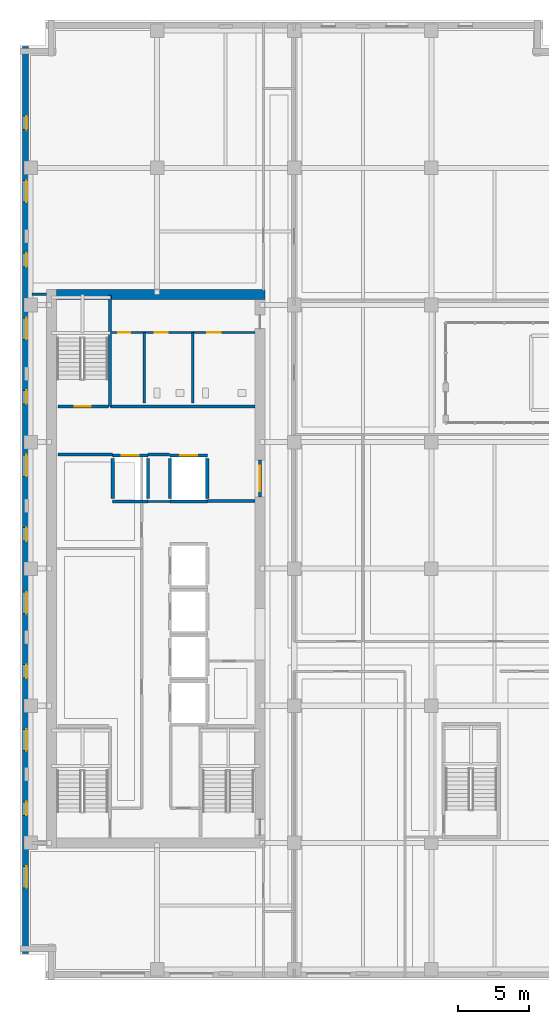
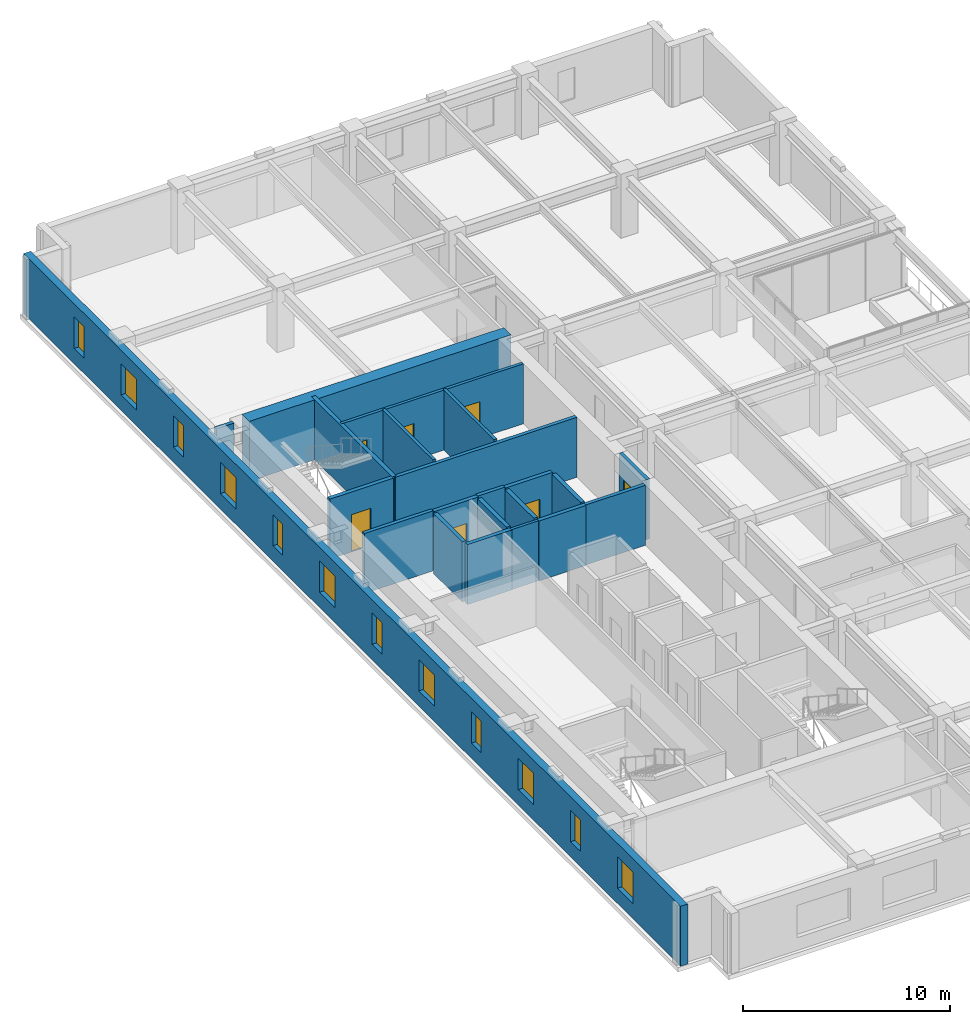
# One storey, part 6 of 16: 22 walls, 12 windows, 7 doors, 19 openings.
"""IFC4 building model written with IfcOpenShell, lengths in metres."""

from ifc_helpers import new_model, si_unit, direction, frame, frame_2d, origin, place, context, subcontext, project, spatial, rectangle, extrude, material, layer, layer_set, type_object, element, fill, save


model = new_model("IFC4")

# Units and contexts
model_context = context("Model", 3, precision=1e-05, world=origin(), true_north=direction((0.0, 1.0)))
body_context = subcontext(model_context, "Body", "Model", "MODEL_VIEW")
ifc_project = project(units=[si_unit("LENGTHUNIT", "METRE"), si_unit("AREAUNIT", "SQUARE_METRE"), si_unit("VOLUMEUNIT", "CUBIC_METRE"), si_unit("PLANEANGLEUNIT", "RADIAN"), si_unit("MASSUNIT", "GRAM", prefix="KILO")], contexts=[model_context])

# Site, building, storey
site_placement = place(None, origin())
site = spatial("IfcSite", under=ifc_project, at=site_placement, CompositionType="ELEMENT")
building_placement = place(site_placement, origin())
building = spatial("IfcBuilding", under=site, at=building_placement, Name="Norrvale University Quadrangle", CompositionType="ELEMENT")
storey_placement = place(building_placement, frame((0.0, 0.0, 167.39990234375)))
storey = spatial("IfcBuildingStorey", under=building, at=storey_placement, Name="L42", CompositionType="ELEMENT", Elevation=167.39990234375)

# Walls
ifc_material_1 = material(Name="Concrete C60/75", Category="concrete")
ifc_layer_1 = layer(ifc_material_1, 0.699951171875, Name="Concrete C60/75")
ifc_layer_set_1 = layer_set([ifc_layer_1], Name="Concrete C60/75")
wall_type_1 = type_object("IfcWallType", Name="Wall Core 700", PredefinedType="SHEAR", material=ifc_layer_set_1)
wall_1_placement = place(storey_placement, frame((2.550048828125, 48.0, 0.0), z_axis=(0.0, 0.0, 1.0), x_axis=(1.0, 0.0, 0.0)))
element("IfcWall", 1, at=wall_1_placement, inside=storey, type_object=wall_type_1, Name="Tower Core Shear Wall L42-N", PredefinedType="SHEAR", context=body_context, shape_type="SweptSolid", body=[
    extrude(rectangle(XDim=14.599853515625, YDim=0.699951171875, at=frame_2d((7.2998046875, 0.0))), origin(), (0.0, 0.0, 1.0), 3.5400390625),
])
ifc_material_2 = material(Name="Fire-Rated Gypsum Stud Partition")
ifc_layer_2 = layer(ifc_material_2, 0.14990234375, Name="Fire-Rated Gypsum Stud Partition")
ifc_layer_set_2 = layer_set([ifc_layer_2], Name="Fire-Rated Gypsum Stud Partition")
wall_type_2 = type_object("IfcWallType", Name="Wall Gypsum Corridor 150", PredefinedType="PARTITIONING", material=ifc_layer_set_2)
wall_2_placement = place(storey_placement, frame((8.965087890625, 33.489990234375, 0.0), z_axis=(0.0, 0.0, 1.0), x_axis=(1.0, 0.0, 0.0)))
element("IfcWall", 2, at=wall_2_placement, inside=storey, type_object=wall_type_2, Name="Interior Partition WL-L42-LL3", PredefinedType="PARTITIONING", context=body_context, shape_type="SweptSolid", body=[
    extrude(rectangle(XDim=1.52001953125, YDim=0.14990234375, at=frame_2d((0.760009765625, 0.0))), origin(), (0.0, 0.0, 1.0), 3.5400390625),
])

# Wall, openings, doors
ifc_material_3 = material(Name="Sanitary Chase Gypsum Partition")
ifc_layer_3 = layer(ifc_material_3, 0.1650390625, Name="Sanitary Chase Gypsum Partition")
ifc_layer_set_3 = layer_set([ifc_layer_3], Name="Sanitary Chase Gypsum Partition")
wall_type_3 = type_object("IfcWallType", Name="Wall Gypsum Sanitary 165", PredefinedType="PLUMBINGWALL", material=ifc_layer_set_3)
wall_3_placement = place(storey_placement, frame((6.320068359375, 45.320068359375, 0.0), z_axis=(0.0, 0.0, 1.0), x_axis=(1.0, 0.0, 0.0)))
wall_3 = element("IfcWall", 3, at=wall_3_placement, inside=storey, type_object=wall_type_3, Name="Interior Partition WL-L42-WCN", PredefinedType="PLUMBINGWALL", context=body_context, shape_type="SweptSolid", body=[
    extrude(rectangle(XDim=10.1298828125, YDim=0.1650390625, at=frame_2d((5.06494140625, 0.0))), origin(), (0.0, 0.0, 1.0), 3.5400390625),
])
opening_1_placement = place(wall_3_placement, frame((0.550048828125, 0.0, 0.0)))
opening_1 = element("IfcOpeningElement", 4, at=opening_1_placement, cuts=wall_3, Name="Opening D10", PredefinedType="OPENING", context=body_context, shape_type="SweptSolid", body=[
    extrude(rectangle(XDim=0.85009765625, YDim=2.10009765625, at=frame_2d((0.425048828125, 1.050048828125))), frame((0.0, 0.094482421875, 0.0), z_axis=(0.0, -1.0, 0.0), x_axis=(1.0, 0.0, 0.0)), (0.0, 0.0, 1.0), 0.18896484375),
])
opening_2_placement = place(wall_3_placement, frame((3.10009765625, 0.0, 0.0)))
opening_2 = element("IfcOpeningElement", 5, at=opening_2_placement, cuts=wall_3, Name="Opening D08", PredefinedType="OPENING", context=body_context, shape_type="SweptSolid", body=[
    extrude(rectangle(XDim=0.919921875, YDim=2.14990234375, at=frame_2d((0.4599609375, 1.074951171875))), frame((0.0, 0.094482421875, 0.0), z_axis=(0.0, -1.0, 0.0), x_axis=(1.0, 0.0, 0.0)), (0.0, 0.0, 1.0), 0.18896484375),
])
opening_3_placement = place(wall_3_placement, frame((6.800048828125, 0.0, 0.0)))
opening_3 = element("IfcOpeningElement", 6, at=opening_3_placement, cuts=wall_3, Name="Opening D08", PredefinedType="OPENING", context=body_context, shape_type="SweptSolid", body=[
    extrude(rectangle(XDim=0.919921875, YDim=2.14990234375, at=frame_2d((0.4599609375, 1.074951171875))), frame((0.0, 0.094482421875, 0.0), z_axis=(0.0, -1.0, 0.0), x_axis=(1.0, 0.0, 0.0)), (0.0, 0.0, 1.0), 0.18896484375),
])
ifc_material_4 = material(Name="Hollow Steel 350W Riser Fire Door", Category="steel")
door_type_1 = type_object("IfcDoorType", Name="Door Riser 850x2100", OperationType="NOTDEFINED", PredefinedType="DOOR", material=ifc_material_4)
door_1_placement = place(opening_1_placement, origin())
door_1 = element("IfcDoor", 7, at=door_1_placement, inside=storey, type_object=door_type_1, Name="Door Riser 850x2100 DR-L42-WC1", OperationType="SINGLE_SWING_LEFT", OverallHeight=2.10009765625, OverallWidth=0.85009765625, PredefinedType="DOOR", context=body_context, shape_type="SweptSolid", body=[
    extrude(rectangle(XDim=0.85009765625, YDim=2.10009765625, at=frame_2d((0.425048828125, 1.050048828125))), frame((0.0, 0.02490234375, 0.0), z_axis=(0.0, -1.0, 0.0), x_axis=(1.0, 0.0, 0.0)), (0.0, 0.0, 1.0), 0.050048828125),
])
fill(opening_1, door_1)
ifc_material_5 = material(Name="Laminate Washroom Door", Category="wood")
door_type_2 = type_object("IfcDoorType", Name="Door Washroom 920x2150", OperationType="NOTDEFINED", PredefinedType="DOOR", material=ifc_material_5)
door_2_placement = place(opening_2_placement, origin())
door_2 = element("IfcDoor", 8, at=door_2_placement, inside=storey, type_object=door_type_2, Name="Door Washroom 920x2150 DR-L42-WC2", OperationType="SINGLE_SWING_RIGHT", OverallHeight=2.14990234375, OverallWidth=0.919921875, PredefinedType="DOOR", context=body_context, shape_type="SweptSolid", body=[
    extrude(rectangle(XDim=0.919921875, YDim=2.14990234375, at=frame_2d((0.4599609375, 1.074951171875))), frame((0.0, 0.02490234375, 0.0), z_axis=(0.0, -1.0, 0.0), x_axis=(1.0, 0.0, 0.0)), (0.0, 0.0, 1.0), 0.050048828125),
])
fill(opening_2, door_2)
door_3_placement = place(opening_3_placement, origin())
door_3 = element("IfcDoor", 9, at=door_3_placement, inside=storey, type_object=door_type_2, Name="Door Washroom 920x2150 DR-L42-WC3", OperationType="SINGLE_SWING_LEFT", OverallHeight=2.14990234375, OverallWidth=0.919921875, PredefinedType="DOOR", context=body_context, shape_type="SweptSolid", body=[
    extrude(rectangle(XDim=0.919921875, YDim=2.14990234375, at=frame_2d((0.4599609375, 1.074951171875))), frame((0.0, 0.02490234375, 0.0), z_axis=(0.0, -1.0, 0.0), x_axis=(1.0, 0.0, 0.0)), (0.0, 0.0, 1.0), 0.050048828125),
])
fill(opening_3, door_3)

# Walls
for number, where, z_axis, x_axis, name in (
    (10, (8.699951171875, 40.39990234375, 0.0), (0.0, 0.0, 1.0), (0.0, 1.0, 0.0), "Interior Partition WL-L42-WCM1"),
    (11, (12.10009765625, 40.39990234375, 0.0), (0.0, 0.0, 1.0), (0.0, 1.0, 0.0), "Interior Partition WL-L42-WCM2"),
):
    element("IfcWall", number, at=place(storey_placement, frame(where, z_axis=z_axis, x_axis=x_axis)), inside=storey, type_object=wall_type_3, Name=name, PredefinedType="PLUMBINGWALL", context=body_context, shape_type="SweptSolid", body=[
        extrude(rectangle(XDim=4.920166015625, YDim=0.1650390625, at=frame_2d((2.4599609375, 0.0))), origin(), (0.0, 0.0, 1.0), 3.5400390625),
    ])
ifc_material_6 = material(Name="Concrete Blockwork 20 MPa Rated Wall", Category="masonry")
ifc_layer_4 = layer(ifc_material_6, 0.199951171875, Name="Concrete Blockwork 20 MPa Rated Wall")
ifc_layer_set_4 = layer_set([ifc_layer_4], Name="Concrete Blockwork 20 MPa Rated Wall")
wall_type_4 = type_object("IfcWallType", Name="Wall Lobby 200", PredefinedType="SOLIDWALL", material=ifc_layer_set_4)
wall_4_placement = place(storey_placement, frame((2.64990234375, 36.780029296875, 0.0), z_axis=(0.0, 0.0, 1.0), x_axis=(1.0, 0.0, 0.0)))
element("IfcWall", 12, at=wall_4_placement, inside=storey, type_object=wall_type_4, Name="Interior Partition WL-L42-FF1", PredefinedType="SOLIDWALL", context=body_context, shape_type="SweptSolid", body=[
    extrude(rectangle(XDim=3.830078125, YDim=0.199951171875, at=frame_2d((1.9150390625, 0.0))), origin(), (0.0, 0.0, 1.0), 3.5400390625),
])
wall_5_placement = place(storey_placement, frame((8.969970703125, 36.780029296875, 0.0), z_axis=(0.0, 0.0, 1.0), x_axis=(1.0, 0.0, 0.0)))
element("IfcWall", 13, at=wall_5_placement, inside=storey, type_object=wall_type_4, Name="Interior Partition WL-L42-FF2", PredefinedType="SOLIDWALL", context=body_context, shape_type="SweptSolid", body=[
    extrude(rectangle(XDim=1.510009765625, YDim=0.199951171875, at=frame_2d((0.7548828125, 0.0))), origin(), (0.0, 0.0, 1.0), 3.5400390625),
])
wall_6_placement = place(storey_placement, frame((13.1201171875, 33.52001953125, 0.0), z_axis=(0.0, 0.0, 1.0), x_axis=(1.0, 0.0, 0.0)))
element("IfcWall", 14, at=wall_6_placement, inside=storey, type_object=wall_type_4, Name="Interior Partition WL-L42-FF3", PredefinedType="SOLIDWALL", context=body_context, shape_type="SweptSolid", body=[
    extrude(rectangle(XDim=3.329833984375, YDim=0.199951171875, at=frame_2d((1.6650390625, 0.0))), origin(), (0.0, 0.0, 1.0), 3.5400390625),
])
wall_7_placement = place(storey_placement, frame((6.320068359375, 40.139892578125, 0.0), z_axis=(0.0, 0.0, 1.0), x_axis=(1.0, 0.0, 0.0)))
element("IfcWall", 15, at=wall_7_placement, inside=storey, type_object=wall_type_4, Name="Interior Partition WL-L42-FF4", PredefinedType="SOLIDWALL", context=body_context, shape_type="SweptSolid", body=[
    extrude(rectangle(XDim=10.1298828125, YDim=0.199951171875, at=frame_2d((5.06494140625, 0.0))), origin(), (0.0, 0.0, 1.0), 3.5400390625),
])

# Wall, opening, door
wall_8_placement = place(storey_placement, frame((16.800048828125, 33.800048828125, 0.0), z_axis=(0.0, 0.0, 1.0), x_axis=(0.0, 1.0, 0.0)))
wall_8 = element("IfcWall", 16, at=wall_8_placement, inside=storey, type_object=wall_type_4, Name="Interior Partition WL-L42-FFP", PredefinedType="SOLIDWALL", context=body_context, shape_type="SweptSolid", body=[
    extrude(rectangle(XDim=2.599853515625, YDim=0.199951171875, at=frame_2d((1.2998046875, 0.0))), origin(), (0.0, 0.0, 1.0), 3.5400390625),
])
opening_4_placement = place(wall_8_placement, frame((0.39990234375, 0.0, 0.0)))
opening_4 = element("IfcOpeningElement", 17, at=opening_4_placement, cuts=wall_8, Name="Opening D03", PredefinedType="OPENING", context=body_context, shape_type="SweptSolid", body=[
    extrude(rectangle(XDim=1.800048828125, YDim=2.199951171875, at=frame_2d((0.89990234375, 1.10009765625))), frame((0.0, 0.112060546875, 0.0), z_axis=(0.0, -1.0, 0.0), x_axis=(1.0, 0.0, 0.0)), (0.0, 0.0, 1.0), 0.223876953125),
])
ifc_material_7 = material(Name="Hollow Steel 350W Fire Door", Category="steel")
door_type_3 = type_object("IfcDoorType", Name="Door Fire Lobby 1800x2200", OperationType="DOUBLE_DOOR_SINGLE_SWING", PredefinedType="DOOR", material=ifc_material_7)
door_4_placement = place(opening_4_placement, origin())
door_4 = element("IfcDoor", 18, at=door_4_placement, inside=storey, type_object=door_type_3, Name="Door Fire Lobby 1800x2200 DR-L42-FFP", OperationType="DOUBLE_DOOR_SINGLE_SWING", OverallHeight=2.199951171875, OverallWidth=1.800048828125, PredefinedType="DOOR", context=body_context, shape_type="SweptSolid", body=[
    extrude(rectangle(XDim=1.800048828125, YDim=2.199951171875, at=frame_2d((0.89990234375, 1.10009765625))), frame((0.0, 0.02490234375, 0.0), z_axis=(0.0, -1.0, 0.0), x_axis=(1.0, 0.0, 0.0)), (0.0, 0.0, 1.0), 0.050048828125),
])
fill(opening_4, door_4)

# Wall
wall_9_placement = place(storey_placement, frame((0.85009765625, 48.0, 0.0), z_axis=(0.0, 0.0, 1.0), x_axis=(1.0, 0.0, 0.0)))
element("IfcWall", 19, at=wall_9_placement, inside=storey, type_object=wall_type_4, Name="Interior Partition WL-L42-CWRET-N", PredefinedType="SOLIDWALL", context=body_context, shape_type="SweptSolid", body=[
    extrude(rectangle(XDim=0.994873046875, YDim=0.199951171875, at=frame_2d((0.49755859375, 0.0))), origin(), (0.0, 0.0, 1.0), 3.5400390625),
])

# Wall, openings, windows
ifc_material_8 = material(Name="Red Manganese Brick Masonry", Category="masonry")
ifc_layer_5 = layer(ifc_material_8, 0.39990234375, Name="Red Manganese Brick Masonry")
ifc_layer_set_5 = layer_set([ifc_layer_5], Name="Red Manganese Brick Masonry")
wall_type_5 = type_object("IfcWallType", Name="Wall Red Brick 400", PredefinedType="SOLIDWALL", material=ifc_layer_set_5)
wall_10_placement = place(storey_placement, frame((0.3798828125, 65.360107421875, 0.0), z_axis=(0.0, 0.0, 1.0), x_axis=(0.0, -1.0, 0.0)))
wall_10 = element("IfcWall", 20, at=wall_10_placement, inside=storey, type_object=wall_type_5, Name="Exterior Brick Facade Wall L42-14.1", PredefinedType="SOLIDWALL", context=body_context, shape_type="SweptSolid", body=[
    extrude(rectangle(XDim=63.52001953125, YDim=0.39990234375, at=frame_2d((31.760009765625, 0.0))), origin(), (0.0, 0.0, 1.0), 3.5400390625),
])
opening_5_placement = place(wall_10_placement, frame((4.885009765625, 0.0, 0.89990234375)))
opening_5 = element("IfcOpeningElement", 21, at=opening_5_placement, cuts=wall_10, Name="Opening W04", PredefinedType="OPENING", context=body_context, shape_type="SweptSolid", body=[
    extrude(rectangle(XDim=0.949951171875, YDim=1.85009765625, at=frame_2d((0.47509765625, 0.925048828125))), frame((0.0, 0.2119140625, 0.0), z_axis=(0.0, -1.0, 0.0), x_axis=(1.0, 0.0, 0.0)), (0.0, 0.0, 1.0), 0.423828125),
])
opening_6_placement = place(wall_10_placement, frame((9.409912109375, 0.0, 0.89990234375)))
opening_6 = element("IfcOpeningElement", 22, at=opening_6_placement, cuts=wall_10, Name="Opening W03", PredefinedType="OPENING", context=body_context, shape_type="SweptSolid", body=[
    extrude(rectangle(XDim=1.5, YDim=1.85009765625, at=frame_2d((0.75, 0.925048828125))), frame((0.0, 0.2119140625, 0.0), z_axis=(0.0, -1.0, 0.0), x_axis=(1.0, 0.0, 0.0)), (0.0, 0.0, 1.0), 0.423828125),
])
opening_7_placement = place(wall_10_placement, frame((14.485107421875, 0.0, 0.89990234375)))
opening_7 = element("IfcOpeningElement", 23, at=opening_7_placement, cuts=wall_10, Name="Opening W04", PredefinedType="OPENING", context=body_context, shape_type="SweptSolid", body=[
    extrude(rectangle(XDim=0.949951171875, YDim=1.85009765625, at=frame_2d((0.47509765625, 0.925048828125))), frame((0.0, 0.2119140625, 0.0), z_axis=(0.0, -1.0, 0.0), x_axis=(1.0, 0.0, 0.0)), (0.0, 0.0, 1.0), 0.423828125),
])
opening_8_placement = place(wall_10_placement, frame((19.010009765625, 0.0, 0.89990234375)))
opening_8 = element("IfcOpeningElement", 24, at=opening_8_placement, cuts=wall_10, Name="Opening W03", PredefinedType="OPENING", context=body_context, shape_type="SweptSolid", body=[
    extrude(rectangle(XDim=1.5, YDim=1.85009765625, at=frame_2d((0.75, 0.925048828125))), frame((0.0, 0.2119140625, 0.0), z_axis=(0.0, -1.0, 0.0), x_axis=(1.0, 0.0, 0.0)), (0.0, 0.0, 1.0), 0.423828125),
])
opening_9_placement = place(wall_10_placement, frame((24.0849609375, 0.0, 0.89990234375)))
opening_9 = element("IfcOpeningElement", 25, at=opening_9_placement, cuts=wall_10, Name="Opening W04", PredefinedType="OPENING", context=body_context, shape_type="SweptSolid", body=[
    extrude(rectangle(XDim=0.949951171875, YDim=1.85009765625, at=frame_2d((0.47509765625, 0.925048828125))), frame((0.0, 0.2119140625, 0.0), z_axis=(0.0, -1.0, 0.0), x_axis=(1.0, 0.0, 0.0)), (0.0, 0.0, 1.0), 0.423828125),
])
opening_10_placement = place(wall_10_placement, frame((28.610107421875, 0.0, 0.89990234375)))
opening_10 = element("IfcOpeningElement", 26, at=opening_10_placement, cuts=wall_10, Name="Opening W03", PredefinedType="OPENING", context=body_context, shape_type="SweptSolid", body=[
    extrude(rectangle(XDim=1.5, YDim=1.85009765625, at=frame_2d((0.75, 0.925048828125))), frame((0.0, 0.2119140625, 0.0), z_axis=(0.0, -1.0, 0.0), x_axis=(1.0, 0.0, 0.0)), (0.0, 0.0, 1.0), 0.423828125),
])
opening_11_placement = place(wall_10_placement, frame((33.68505859375, 0.0, 0.89990234375)))
opening_11 = element("IfcOpeningElement", 27, at=opening_11_placement, cuts=wall_10, Name="Opening W04", PredefinedType="OPENING", context=body_context, shape_type="SweptSolid", body=[
    extrude(rectangle(XDim=0.949951171875, YDim=1.85009765625, at=frame_2d((0.47509765625, 0.925048828125))), frame((0.0, 0.2119140625, 0.0), z_axis=(0.0, -1.0, 0.0), x_axis=(1.0, 0.0, 0.0)), (0.0, 0.0, 1.0), 0.423828125),
])
opening_12_placement = place(wall_10_placement, frame((38.2099609375, 0.0, 0.89990234375)))
opening_12 = element("IfcOpeningElement", 28, at=opening_12_placement, cuts=wall_10, Name="Opening W03", PredefinedType="OPENING", context=body_context, shape_type="SweptSolid", body=[
    extrude(rectangle(XDim=1.5, YDim=1.85009765625, at=frame_2d((0.75, 0.925048828125))), frame((0.0, 0.2119140625, 0.0), z_axis=(0.0, -1.0, 0.0), x_axis=(1.0, 0.0, 0.0)), (0.0, 0.0, 1.0), 0.423828125),
])
opening_13_placement = place(wall_10_placement, frame((43.284912109375, 0.0, 0.89990234375)))
opening_13 = element("IfcOpeningElement", 29, at=opening_13_placement, cuts=wall_10, Name="Opening W04", PredefinedType="OPENING", context=body_context, shape_type="SweptSolid", body=[
    extrude(rectangle(XDim=0.949951171875, YDim=1.85009765625, at=frame_2d((0.47509765625, 0.925048828125))), frame((0.0, 0.2119140625, 0.0), z_axis=(0.0, -1.0, 0.0), x_axis=(1.0, 0.0, 0.0)), (0.0, 0.0, 1.0), 0.423828125),
])
opening_14_placement = place(wall_10_placement, frame((47.81005859375, 0.0, 0.89990234375)))
opening_14 = element("IfcOpeningElement", 30, at=opening_14_placement, cuts=wall_10, Name="Opening W03", PredefinedType="OPENING", context=body_context, shape_type="SweptSolid", body=[
    extrude(rectangle(XDim=1.5, YDim=1.85009765625, at=frame_2d((0.75, 0.925048828125))), frame((0.0, 0.2119140625, 0.0), z_axis=(0.0, -1.0, 0.0), x_axis=(1.0, 0.0, 0.0)), (0.0, 0.0, 1.0), 0.423828125),
])
opening_15_placement = place(wall_10_placement, frame((52.885009765625, 0.0, 0.89990234375)))
opening_15 = element("IfcOpeningElement", 31, at=opening_15_placement, cuts=wall_10, Name="Opening W04", PredefinedType="OPENING", context=body_context, shape_type="SweptSolid", body=[
    extrude(rectangle(XDim=0.949951171875, YDim=1.85009765625, at=frame_2d((0.47509765625, 0.925048828125))), frame((0.0, 0.2119140625, 0.0), z_axis=(0.0, -1.0, 0.0), x_axis=(1.0, 0.0, 0.0)), (0.0, 0.0, 1.0), 0.423828125),
])
opening_16_placement = place(wall_10_placement, frame((57.409912109375, 0.0, 0.89990234375)))
opening_16 = element("IfcOpeningElement", 32, at=opening_16_placement, cuts=wall_10, Name="Opening W03", PredefinedType="OPENING", context=body_context, shape_type="SweptSolid", body=[
    extrude(rectangle(XDim=1.5, YDim=1.85009765625, at=frame_2d((0.75, 0.925048828125))), frame((0.0, 0.2119140625, 0.0), z_axis=(0.0, -1.0, 0.0), x_axis=(1.0, 0.0, 0.0)), (0.0, 0.0, 1.0), 0.423828125),
])
ifc_material_9 = material(Name="Triple Low-E Argon Glazing", Category="glass")
window_type_1 = type_object("IfcWindowType", Name="Window Narrow Pier 950x2300", PartitioningType="SINGLE_PANEL", PredefinedType="WINDOW", material=ifc_material_9)
window_1_placement = place(opening_5_placement, origin())
window_1 = element("IfcWindow", 33, at=window_1_placement, inside=storey, type_object=window_type_1, Name="Window Narrow Pier 950x2300 WIN-L42-E14-1-01", OverallHeight=1.85009765625, OverallWidth=0.949951171875, PartitioningType="SINGLE_PANEL", PredefinedType="WINDOW", context=body_context, shape_type="SweptSolid", body=[
    extrude(rectangle(XDim=0.949951171875, YDim=1.85009765625, at=frame_2d((0.47509765625, 0.925048828125))), frame((0.0, 0.110107421875, 0.0), z_axis=(0.0, -1.0, 0.0), x_axis=(1.0, 0.0, 0.0)), (0.0, 0.0, 1.0), 0.06005859375),
])
fill(opening_5, window_1)
window_2_placement = place(opening_7_placement, origin())
window_2 = element("IfcWindow", 34, at=window_2_placement, inside=storey, type_object=window_type_1, Name="Window Narrow Pier 950x2300 WIN-L42-E14-1-03", OverallHeight=1.85009765625, OverallWidth=0.949951171875, PartitioningType="SINGLE_PANEL", PredefinedType="WINDOW", context=body_context, shape_type="SweptSolid", body=[
    extrude(rectangle(XDim=0.949951171875, YDim=1.85009765625, at=frame_2d((0.47509765625, 0.925048828125))), frame((0.0, 0.110107421875, 0.0), z_axis=(0.0, -1.0, 0.0), x_axis=(1.0, 0.0, 0.0)), (0.0, 0.0, 1.0), 0.06005859375),
])
fill(opening_7, window_2)
window_3_placement = place(opening_9_placement, origin())
window_3 = element("IfcWindow", 35, at=window_3_placement, inside=storey, type_object=window_type_1, Name="Window Narrow Pier 950x2300 WIN-L42-E14-1-05", OverallHeight=1.85009765625, OverallWidth=0.949951171875, PartitioningType="SINGLE_PANEL", PredefinedType="WINDOW", context=body_context, shape_type="SweptSolid", body=[
    extrude(rectangle(XDim=0.949951171875, YDim=1.85009765625, at=frame_2d((0.47509765625, 0.925048828125))), frame((0.0, 0.110107421875, 0.0), z_axis=(0.0, -1.0, 0.0), x_axis=(1.0, 0.0, 0.0)), (0.0, 0.0, 1.0), 0.06005859375),
])
fill(opening_9, window_3)
window_4_placement = place(opening_11_placement, origin())
window_4 = element("IfcWindow", 36, at=window_4_placement, inside=storey, type_object=window_type_1, Name="Window Narrow Pier 950x2300 WIN-L42-E14-1-07", OverallHeight=1.85009765625, OverallWidth=0.949951171875, PartitioningType="SINGLE_PANEL", PredefinedType="WINDOW", context=body_context, shape_type="SweptSolid", body=[
    extrude(rectangle(XDim=0.949951171875, YDim=1.85009765625, at=frame_2d((0.47509765625, 0.925048828125))), frame((0.0, 0.110107421875, 0.0), z_axis=(0.0, -1.0, 0.0), x_axis=(1.0, 0.0, 0.0)), (0.0, 0.0, 1.0), 0.06005859375),
])
fill(opening_11, window_4)
window_5_placement = place(opening_13_placement, origin())
window_5 = element("IfcWindow", 37, at=window_5_placement, inside=storey, type_object=window_type_1, Name="Window Narrow Pier 950x2300 WIN-L42-E14-1-09", OverallHeight=1.85009765625, OverallWidth=0.949951171875, PartitioningType="SINGLE_PANEL", PredefinedType="WINDOW", context=body_context, shape_type="SweptSolid", body=[
    extrude(rectangle(XDim=0.949951171875, YDim=1.85009765625, at=frame_2d((0.47509765625, 0.925048828125))), frame((0.0, 0.110107421875, 0.0), z_axis=(0.0, -1.0, 0.0), x_axis=(1.0, 0.0, 0.0)), (0.0, 0.0, 1.0), 0.06005859375),
])
fill(opening_13, window_5)
window_6_placement = place(opening_15_placement, origin())
window_6 = element("IfcWindow", 38, at=window_6_placement, inside=storey, type_object=window_type_1, Name="Window Narrow Pier 950x2300 WIN-L42-E14-1-11", OverallHeight=1.85009765625, OverallWidth=0.949951171875, PartitioningType="SINGLE_PANEL", PredefinedType="WINDOW", context=body_context, shape_type="SweptSolid", body=[
    extrude(rectangle(XDim=0.949951171875, YDim=1.85009765625, at=frame_2d((0.47509765625, 0.925048828125))), frame((0.0, 0.110107421875, 0.0), z_axis=(0.0, -1.0, 0.0), x_axis=(1.0, 0.0, 0.0)), (0.0, 0.0, 1.0), 0.06005859375),
])
fill(opening_15, window_6)
window_type_2 = type_object("IfcWindowType", Name="Window Studio 1500x2300", PartitioningType="DOUBLE_PANEL_VERTICAL", PredefinedType="WINDOW", material=ifc_material_9)
window_7_placement = place(opening_6_placement, origin())
window_7 = element("IfcWindow", 39, at=window_7_placement, inside=storey, type_object=window_type_2, Name="Window Studio 1500x2300 WIN-L42-E14-1-02", OverallHeight=1.85009765625, OverallWidth=1.5, PartitioningType="DOUBLE_PANEL_VERTICAL", PredefinedType="WINDOW", context=body_context, shape_type="SweptSolid", body=[
    extrude(rectangle(XDim=1.5, YDim=1.85009765625, at=frame_2d((0.75, 0.925048828125))), frame((0.0, 0.110107421875, 0.0), z_axis=(0.0, -1.0, 0.0), x_axis=(1.0, 0.0, 0.0)), (0.0, 0.0, 1.0), 0.06005859375),
])
fill(opening_6, window_7)
window_8_placement = place(opening_8_placement, origin())
window_8 = element("IfcWindow", 40, at=window_8_placement, inside=storey, type_object=window_type_2, Name="Window Studio 1500x2300 WIN-L42-E14-1-04", OverallHeight=1.85009765625, OverallWidth=1.5, PartitioningType="DOUBLE_PANEL_VERTICAL", PredefinedType="WINDOW", context=body_context, shape_type="SweptSolid", body=[
    extrude(rectangle(XDim=1.5, YDim=1.85009765625, at=frame_2d((0.75, 0.925048828125))), frame((0.0, 0.110107421875, 0.0), z_axis=(0.0, -1.0, 0.0), x_axis=(1.0, 0.0, 0.0)), (0.0, 0.0, 1.0), 0.06005859375),
])
fill(opening_8, window_8)
window_9_placement = place(opening_10_placement, origin())
window_9 = element("IfcWindow", 41, at=window_9_placement, inside=storey, type_object=window_type_2, Name="Window Studio 1500x2300 WIN-L42-E14-1-06", OverallHeight=1.85009765625, OverallWidth=1.5, PartitioningType="DOUBLE_PANEL_VERTICAL", PredefinedType="WINDOW", context=body_context, shape_type="SweptSolid", body=[
    extrude(rectangle(XDim=1.5, YDim=1.85009765625, at=frame_2d((0.75, 0.925048828125))), frame((0.0, 0.110107421875, 0.0), z_axis=(0.0, -1.0, 0.0), x_axis=(1.0, 0.0, 0.0)), (0.0, 0.0, 1.0), 0.06005859375),
])
fill(opening_10, window_9)
window_10_placement = place(opening_12_placement, origin())
window_10 = element("IfcWindow", 42, at=window_10_placement, inside=storey, type_object=window_type_2, Name="Window Studio 1500x2300 WIN-L42-E14-1-08", OverallHeight=1.85009765625, OverallWidth=1.5, PartitioningType="DOUBLE_PANEL_VERTICAL", PredefinedType="WINDOW", context=body_context, shape_type="SweptSolid", body=[
    extrude(rectangle(XDim=1.5, YDim=1.85009765625, at=frame_2d((0.75, 0.925048828125))), frame((0.0, 0.110107421875, 0.0), z_axis=(0.0, -1.0, 0.0), x_axis=(1.0, 0.0, 0.0)), (0.0, 0.0, 1.0), 0.06005859375),
])
fill(opening_12, window_10)
window_11_placement = place(opening_14_placement, origin())
window_11 = element("IfcWindow", 43, at=window_11_placement, inside=storey, type_object=window_type_2, Name="Window Studio 1500x2300 WIN-L42-E14-1-10", OverallHeight=1.85009765625, OverallWidth=1.5, PartitioningType="DOUBLE_PANEL_VERTICAL", PredefinedType="WINDOW", context=body_context, shape_type="SweptSolid", body=[
    extrude(rectangle(XDim=1.5, YDim=1.85009765625, at=frame_2d((0.75, 0.925048828125))), frame((0.0, 0.110107421875, 0.0), z_axis=(0.0, -1.0, 0.0), x_axis=(1.0, 0.0, 0.0)), (0.0, 0.0, 1.0), 0.06005859375),
])
fill(opening_14, window_11)
window_12_placement = place(opening_16_placement, origin())
window_12 = element("IfcWindow", 44, at=window_12_placement, inside=storey, type_object=window_type_2, Name="Window Studio 1500x2300 WIN-L42-E14-1-12", OverallHeight=1.85009765625, OverallWidth=1.5, PartitioningType="DOUBLE_PANEL_VERTICAL", PredefinedType="WINDOW", context=body_context, shape_type="SweptSolid", body=[
    extrude(rectangle(XDim=1.5, YDim=1.85009765625, at=frame_2d((0.75, 0.925048828125))), frame((0.0, 0.110107421875, 0.0), z_axis=(0.0, -1.0, 0.0), x_axis=(1.0, 0.0, 0.0)), (0.0, 0.0, 1.0), 0.06005859375),
])
fill(opening_16, window_12)

# Wall, opening, door
ifc_material_10 = material(Name="Concrete Blockwork 20 MPa Fire Shaft", Category="masonry")
ifc_layer_6 = layer(ifc_material_10, 0.219970703125, Name="Concrete Blockwork 20 MPa Fire Shaft")
ifc_layer_set_6 = layer_set([ifc_layer_6], Name="Concrete Blockwork 20 MPa Fire Shaft")
wall_type_6 = type_object("IfcWallType", Name="Wall Shaft 220", PredefinedType="SOLIDWALL", material=ifc_layer_set_6)
wall_11_placement = place(storey_placement, frame((2.64990234375, 40.139892578125, 0.0), z_axis=(0.0, 0.0, 1.0), x_axis=(1.0, 0.0, 0.0)))
wall_11 = element("IfcWall", 45, at=wall_11_placement, inside=storey, type_object=wall_type_6, Name="Stair ST-02 South Shaft Wall L42", PredefinedType="SOLIDWALL", context=body_context, shape_type="SweptSolid", body=[
    extrude(rectangle(XDim=3.550048828125, YDim=0.219970703125, at=frame_2d((1.77490234375, 0.0))), origin(), (0.0, 0.0, 1.0), 3.5400390625),
])
opening_17_placement = place(wall_11_placement, frame((1.199951171875, 0.0, 0.0)))
opening_17 = element("IfcOpeningElement", 46, at=opening_17_placement, cuts=wall_11, Name="Opening D02", PredefinedType="OPENING", context=body_context, shape_type="SweptSolid", body=[
    extrude(rectangle(XDim=1.10009765625, YDim=2.199951171875, at=frame_2d((0.550048828125, 1.10009765625))), frame((0.0, 0.1220703125, 0.0), z_axis=(0.0, -1.0, 0.0), x_axis=(1.0, 0.0, 0.0)), (0.0, 0.0, 1.0), 0.243896484375),
])
door_type_4 = type_object("IfcDoorType", Name="Door Stair Exit 1100x2200", OperationType="NOTDEFINED", PredefinedType="DOOR", material=ifc_material_7)
door_5_placement = place(opening_17_placement, origin())
door_5 = element("IfcDoor", 47, at=door_5_placement, inside=storey, type_object=door_type_4, Name="Door Stair Exit 1100x2200 DR-L42-ST02", OperationType="SINGLE_SWING_LEFT", OverallHeight=2.199951171875, OverallWidth=1.10009765625, PredefinedType="DOOR", context=body_context, shape_type="SweptSolid", body=[
    extrude(rectangle(XDim=1.10009765625, YDim=2.199951171875, at=frame_2d((0.550048828125, 1.10009765625))), frame((0.0, 0.02490234375, 0.0), z_axis=(0.0, -1.0, 0.0), x_axis=(1.0, 0.0, 0.0)), (0.0, 0.0, 1.0), 0.050048828125),
])
fill(opening_17, door_5)

# Walls
wall_12_placement = place(storey_placement, frame((6.31005859375, 40.139892578125, 0.0), z_axis=(0.0, 0.0, 1.0), x_axis=(0.0, 1.0, 0.0)))
element("IfcWall", 48, at=wall_12_placement, inside=storey, type_object=wall_type_6, Name="Stair ST-02 East Shaft Wall L42", PredefinedType="SOLIDWALL", context=body_context, shape_type="SweptSolid", body=[
    extrude(rectangle(XDim=7.81005859375, YDim=0.219970703125, at=frame_2d((3.905029296875, 0.0))), origin(), (0.0, 0.0, 1.0), 3.5400390625),
])
for number, where, z_axis, x_axis, name in (
    (49, (6.489990234375, 33.7099609375, 0.0), (0.0, 0.0, 1.0), (0.0, 1.0, 0.0), "Hoistway FFL-01 West Wall L42"),
    (50, (8.9599609375, 33.7099609375, 0.0), (0.0, 0.0, 1.0), (0.0, 1.0, 0.0), "Hoistway FFL-01 East Wall L42"),
):
    element("IfcWall", number, at=place(storey_placement, frame(where, z_axis=z_axis, x_axis=x_axis)), inside=storey, type_object=wall_type_6, Name=name, PredefinedType="SOLIDWALL", context=body_context, shape_type="SweptSolid", body=[
        extrude(rectangle(XDim=2.780029296875, YDim=0.219970703125, at=frame_2d((1.39013671875, 0.0))), origin(), (0.0, 0.0, 1.0), 3.5400390625),
    ])
wall_13_placement = place(storey_placement, frame((6.489990234375, 33.489990234375, 0.0), z_axis=(0.0, 0.0, 1.0), x_axis=(1.0, 0.0, 0.0)))
element("IfcWall", 51, at=wall_13_placement, inside=storey, type_object=wall_type_6, Name="Hoistway FFL-01 South Wall L42", PredefinedType="SOLIDWALL", context=body_context, shape_type="SweptSolid", body=[
    extrude(rectangle(XDim=2.469970703125, YDim=0.219970703125, at=frame_2d((1.23486328125, 0.0))), origin(), (0.0, 0.0, 1.0), 3.5400390625),
])

# Wall, opening, door
wall_14_placement = place(storey_placement, frame((6.489990234375, 36.7099609375, 0.0), z_axis=(0.0, 0.0, 1.0), x_axis=(1.0, 0.0, 0.0)))
wall_14 = element("IfcWall", 52, at=wall_14_placement, inside=storey, type_object=wall_type_6, Name="Hoistway FFL-01 North Wall L42", PredefinedType="SOLIDWALL", context=body_context, shape_type="SweptSolid", body=[
    extrude(rectangle(XDim=2.469970703125, YDim=0.219970703125, at=frame_2d((1.23486328125, 0.0))), origin(), (0.0, 0.0, 1.0), 3.5400390625),
])
opening_18_placement = place(wall_14_placement, frame((0.635009765625, 0.0, 0.0)))
opening_18 = element("IfcOpeningElement", 53, at=opening_18_placement, cuts=wall_14, Name="Opening LD2", PredefinedType="OPENING", context=body_context, shape_type="SweptSolid", body=[
    extrude(rectangle(XDim=1.199951171875, YDim=2.199951171875, at=frame_2d((0.60009765625, 1.10009765625))), frame((0.0, 0.1220703125, 0.0), z_axis=(0.0, -1.0, 0.0), x_axis=(1.0, 0.0, 0.0)), (0.0, 0.0, 1.0), 0.243896484375),
])
ifc_material_11 = material(Name="Stainless Steel 316L Firefighter Lift Door", Category="steel")
door_type_5 = type_object("IfcDoorType", Name="Door Fire Lift 1200x2200", OperationType="DOUBLE_DOOR_SLIDING", PredefinedType="DOOR", material=ifc_material_11)
door_6_placement = place(opening_18_placement, origin())
door_6 = element("IfcDoor", 54, at=door_6_placement, inside=storey, type_object=door_type_5, Name="Elevator Landing Door DR-L42-FFL-01", OperationType="DOUBLE_DOOR_SLIDING", OverallHeight=2.199951171875, OverallWidth=1.199951171875, PredefinedType="DOOR", context=body_context, shape_type="SweptSolid", body=[
    extrude(rectangle(XDim=1.199951171875, YDim=2.199951171875, at=frame_2d((0.60009765625, 1.10009765625))), frame((0.0, 0.02490234375, 0.0), z_axis=(0.0, -1.0, 0.0), x_axis=(1.0, 0.0, 0.0)), (0.0, 0.0, 1.0), 0.050048828125),
])
fill(opening_18, door_6)

# Walls
for number, where, z_axis, x_axis, name in (
    (55, (10.489990234375, 33.7099609375, 0.0), (0.0, 0.0, 1.0), (0.0, 1.0, 0.0), "Hoistway FFL-02 West Wall L42"),
    (56, (13.110107421875, 33.7099609375, 0.0), (0.0, 0.0, 1.0), (0.0, 1.0, 0.0), "Hoistway FFL-02 East Wall L42"),
):
    element("IfcWall", number, at=place(storey_placement, frame(where, z_axis=z_axis, x_axis=x_axis)), inside=storey, type_object=wall_type_6, Name=name, PredefinedType="SOLIDWALL", context=body_context, shape_type="SweptSolid", body=[
        extrude(rectangle(XDim=2.780029296875, YDim=0.219970703125, at=frame_2d((1.39013671875, 0.0))), origin(), (0.0, 0.0, 1.0), 3.5400390625),
    ])
wall_15_placement = place(storey_placement, frame((10.489990234375, 33.489990234375, 0.0), z_axis=(0.0, 0.0, 1.0), x_axis=(1.0, 0.0, 0.0)))
element("IfcWall", 57, at=wall_15_placement, inside=storey, type_object=wall_type_6, Name="Hoistway FFL-02 South Wall L42", PredefinedType="SOLIDWALL", context=body_context, shape_type="SweptSolid", body=[
    extrude(rectangle(XDim=2.6201171875, YDim=0.219970703125, at=frame_2d((1.31005859375, 0.0))), origin(), (0.0, 0.0, 1.0), 3.5400390625),
])

# Wall, opening, door
wall_16_placement = place(storey_placement, frame((10.489990234375, 36.7099609375, 0.0), z_axis=(0.0, 0.0, 1.0), x_axis=(1.0, 0.0, 0.0)))
wall_16 = element("IfcWall", 58, at=wall_16_placement, inside=storey, type_object=wall_type_6, Name="Hoistway FFL-02 North Wall L42", PredefinedType="SOLIDWALL", context=body_context, shape_type="SweptSolid", body=[
    extrude(rectangle(XDim=2.6201171875, YDim=0.219970703125, at=frame_2d((1.31005859375, 0.0))), origin(), (0.0, 0.0, 1.0), 3.5400390625),
])
opening_19_placement = place(wall_16_placement, frame((0.7099609375, 0.0, 0.0)))
opening_19 = element("IfcOpeningElement", 59, at=opening_19_placement, cuts=wall_16, Name="Opening LD2", PredefinedType="OPENING", context=body_context, shape_type="SweptSolid", body=[
    extrude(rectangle(XDim=1.199951171875, YDim=2.199951171875, at=frame_2d((0.60009765625, 1.10009765625))), frame((0.0, 0.1220703125, 0.0), z_axis=(0.0, -1.0, 0.0), x_axis=(1.0, 0.0, 0.0)), (0.0, 0.0, 1.0), 0.243896484375),
])
door_7_placement = place(opening_19_placement, origin())
door_7 = element("IfcDoor", 60, at=door_7_placement, inside=storey, type_object=door_type_5, Name="Elevator Landing Door DR-L42-FFL-02", OperationType="DOUBLE_DOOR_SLIDING", OverallHeight=2.199951171875, OverallWidth=1.199951171875, PredefinedType="DOOR", context=body_context, shape_type="SweptSolid", body=[
    extrude(rectangle(XDim=1.199951171875, YDim=2.199951171875, at=frame_2d((0.60009765625, 1.10009765625))), frame((0.0, 0.02490234375, 0.0), z_axis=(0.0, -1.0, 0.0), x_axis=(1.0, 0.0, 0.0)), (0.0, 0.0, 1.0), 0.050048828125),
])
fill(opening_19, door_7)

save(model, "model.ifc")
